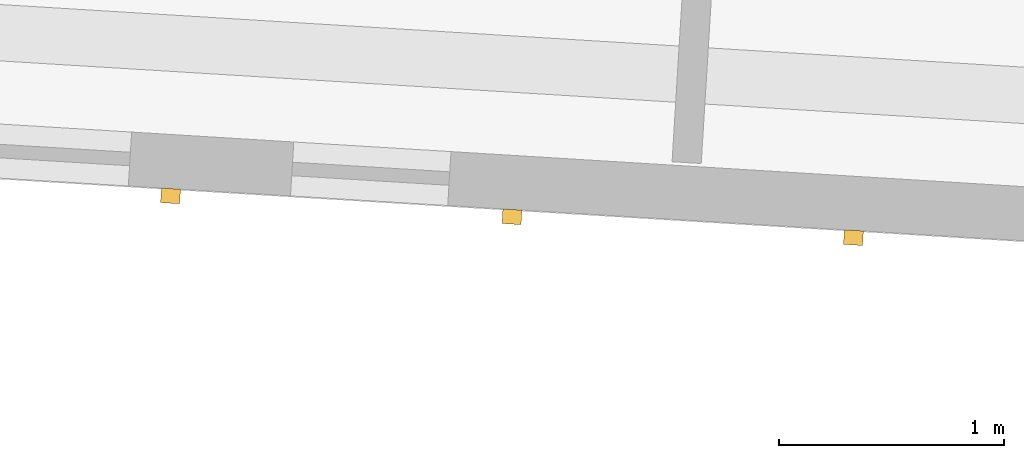
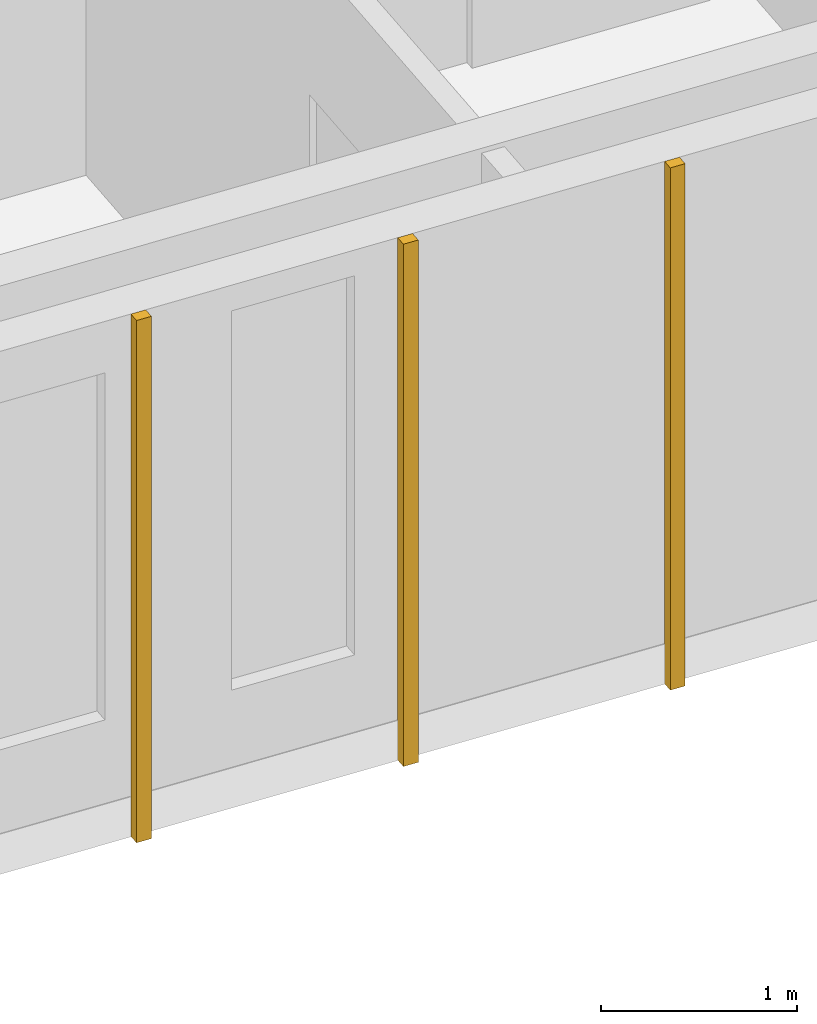
# One storey, part 45 of 74: 3 coverings.
"""IFC4 building model written with IfcOpenShell, lengths in metres."""

from ifc_helpers import new_model, si_unit, direction, frame, origin, origin_2d, place, context, subcontext, project, spatial, rectangle, extrude, material, layer, layer_set, type_object, element, save


model = new_model("IFC4")

# Units and contexts
model_context = context("Model", 3, precision=1e-05, world=origin(), true_north=direction((0.0, 1.0)))
body_context = subcontext(model_context, "Body", "Model", "MODEL_VIEW")
ifc_project = project(units=[si_unit("LENGTHUNIT", "METRE"), si_unit("AREAUNIT", "SQUARE_METRE"), si_unit("VOLUMEUNIT", "CUBIC_METRE"), si_unit("PLANEANGLEUNIT", "RADIAN"), si_unit("MASSUNIT", "GRAM", prefix="KILO")], contexts=[model_context])

# Site, building, storey
site_placement = place(None, origin())
site = spatial("IfcSite", under=ifc_project, at=site_placement, CompositionType="ELEMENT")
building_placement = place(site_placement, origin())
building = spatial("IfcBuilding", under=site, at=building_placement, Name="Kestramere Prow Commons", CompositionType="ELEMENT")
storey_placement = place(building_placement, frame((0.0, 0.0, 11.64990234375)))
storey = spatial("IfcBuildingStorey", under=building, at=storey_placement, Name="L03", CompositionType="ELEMENT", Elevation=11.64990234375)

# Coverings
ifc_material = material(Name="Weathered Zinc-Titanium Standing-Seam Cladding")
ifc_layer = layer(ifc_material, 0.074951171875)
ifc_layer_set = layer_set([ifc_layer], Name="Weathered Zinc-Titanium Standing-Seam Cladding")
covering_type = type_object("IfcCoveringType", Name="COV-CLAD-SEAM", PredefinedType="CLADDING", material=ifc_layer_set)
for number, where, z_axis, x_axis, name in (
    (1, (94.353515625, 43.689453125, -0.25), (0.0, 0.0, 1.0), (-0.998134798422, 0.061048539535, 0.0), "EW-C-L03-S-4 Standing-Seam Rib 2"),
    (2, (92.836181640625, 43.7822265625, -0.25), (0.0, 0.0, 1.0), (-0.998134798422, 0.061048539535, 0.0), "EW-C-L03-S-4 Standing-Seam Rib 3"),
    (3, (91.319091796875, 43.875, -0.25), (0.0, 0.0, 1.0), (-0.998134798422, 0.061048539535, 0.0), "EW-C-L03-S-4 Standing-Seam Rib 4"),
):
    element("IfcCovering", number, at=place(storey_placement, frame(where, z_axis=z_axis, x_axis=x_axis)), inside=storey, type_object=covering_type, Name=name, PredefinedType="CLADDING", context=body_context, shape_type="SweptSolid", body=[
        extrude(rectangle(XDim=0.0849609375, YDim=0.06494140625, at=origin_2d()), origin(), (0.0, 0.0, 1.0), 3.25),
    ])

save(model, "model.ifc")
